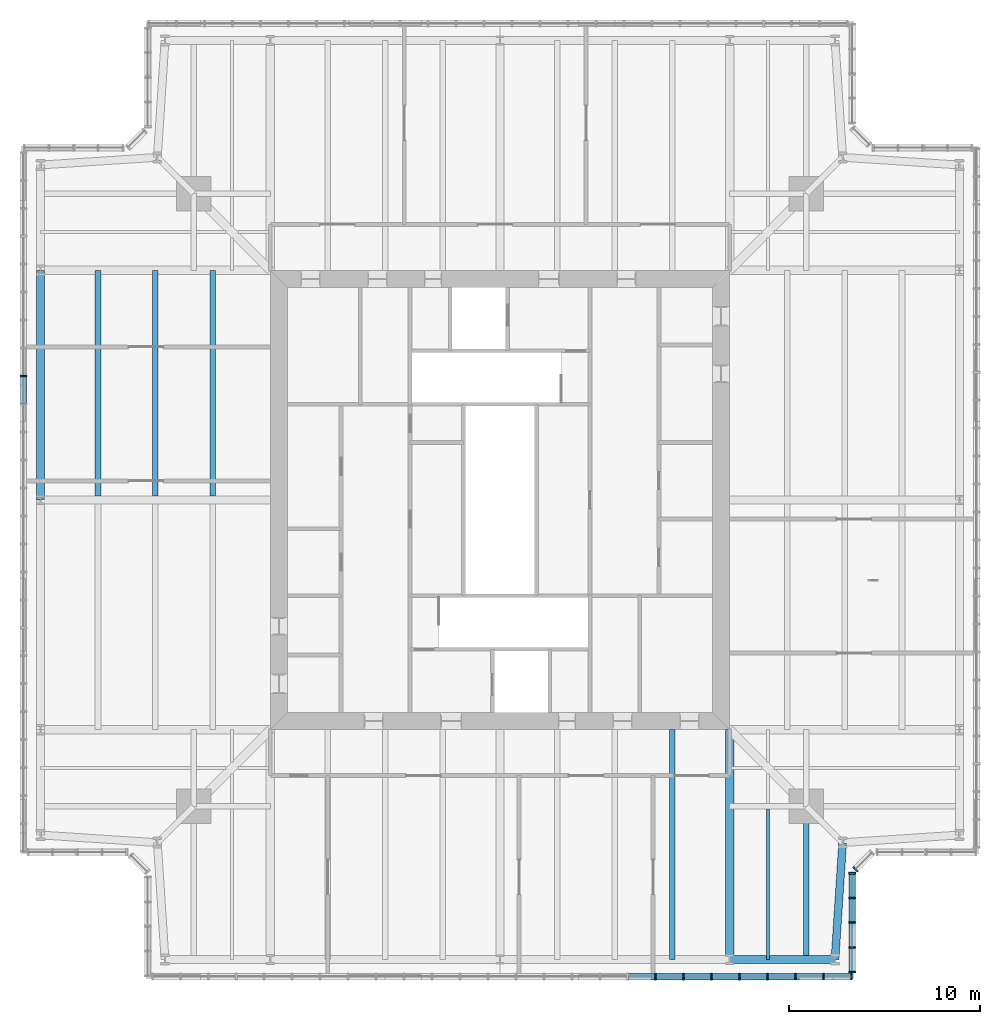
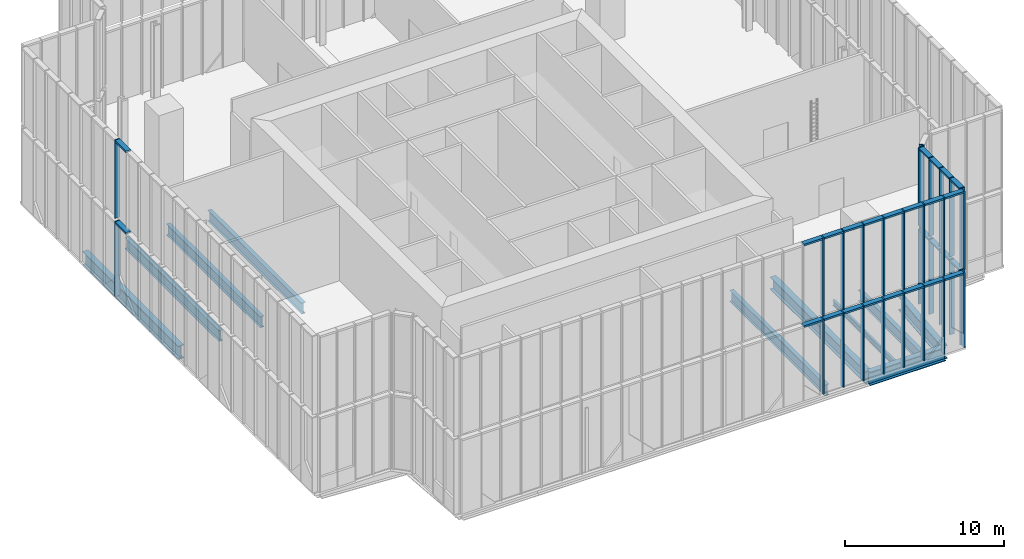
# One storey, part 5 of 25: 56 members, 10 beams, 8 elements without a shape of their own.
"""IFC4 building model written with IfcOpenShell, lengths in metres."""

import ifcopenshell
import ifcopenshell.guid

model = None  # the IFC model being written
_history = None  # IfcOwnerHistory: only IFC2X3 demands one
_inside = {}  # id of a spatial element -> (the spatial element, [elements in it])
_under = {}  # id of a project, library or spatial element -> (it, [spatial elements below it])
_declared = {}  # id of a project -> (the project, [libraries it declares])
_typed = {}  # id of a type object -> (the type object, [elements of that type])
_made_of = {}  # id of a material, layer set ... -> (it, [elements and type objects made of it])


def new_model(schema):
    """Start an empty IFC model of exactly this schema.

    Asked for "IFC4X3", IfcOpenShell would pick the latest addendum, in which some entities
    have other attributes; the version numbers below select the first issue.
    IFC2X3 requires an IfcOwnerHistory on every rooted entity: one is made here for all.
    """
    global model, _history
    if schema == "IFC4X3":
        model = ifcopenshell.file(schema_version=(4, 3, 0, 0))
    else:
        model = ifcopenshell.file(schema=schema)
    _inside.clear()
    _under.clear()
    _declared.clear()
    _typed.clear()
    _made_of.clear()
    _history = None
    if model.schema == "IFC2X3":
        org = make("IfcOrganization", Name="unknown")
        user = make(
            "IfcPersonAndOrganization",
            ThePerson=make("IfcPerson", FamilyName="unknown"),
            TheOrganization=org,
        )
        app = make(
            "IfcApplication",
            ApplicationDeveloper=org,
            Version="unknown",
            ApplicationFullName="unknown",
            ApplicationIdentifier="unknown",
        )
        _history = make(
            "IfcOwnerHistory",
            OwningUser=user,
            OwningApplication=app,
            ChangeAction="ADDED",
            CreationDate=0,
        )
    return model


def make(cls, **values):
    """One entity of the class cls with the attributes given. An attribute that is None is left unset."""
    return model.create_entity(
        cls, **{name: value for name, value in values.items() if value is not None}
    )


def rooted(cls, **values):
    """An entity with a GlobalId (a new one), such as an element, a storey or a relation."""
    return make(cls, GlobalId=ifcopenshell.guid.new(), OwnerHistory=_history, **values)


def si_unit(unit_type, name, prefix=None):
    """IfcSIUnit, for example si_unit("LENGTHUNIT", "METRE", prefix="MILLI")."""
    return make("IfcSIUnit", UnitType=unit_type, Prefix=prefix, Name=name)


def assignment(units):
    """IfcUnitAssignment: the units of a project."""
    return None if units is None else make("IfcUnitAssignment", Units=units)


def point(xyz):
    """IfcCartesianPoint."""
    return None if xyz is None else make("IfcCartesianPoint", Coordinates=xyz)


def direction(xyz):
    """IfcDirection."""
    return None if xyz is None else make("IfcDirection", DirectionRatios=xyz)


def frame(location, z_axis=None, x_axis=None):
    """IfcAxis2Placement3D, a coordinate frame: its origin and axes. An axis left out is left unset."""
    return make(
        "IfcAxis2Placement3D",
        Location=point(location),
        Axis=direction(z_axis),
        RefDirection=direction(x_axis),
    )


def frame_2d(location, x_axis=None):
    """IfcAxis2Placement2D, a coordinate frame in the plane: its origin and x axis."""
    return make(
        "IfcAxis2Placement2D", Location=point(location), RefDirection=direction(x_axis)
    )


def origin():
    """The frame at (0, 0, 0) with its axes left unset."""
    return frame((0.0, 0.0, 0.0))


def origin_2d():
    """The frame at (0, 0) in the plane with its x axis left unset."""
    return frame_2d((0.0, 0.0))


def place(relative_to, where):
    """IfcLocalPlacement: puts the frame where relative to a parent placement (None: the world)."""
    return make(
        "IfcLocalPlacement", PlacementRelTo=relative_to, RelativePlacement=where
    )


def context(
    kind, dimensions, precision=None, world=None, true_north=None, identifier=None
):
    """IfcGeometricRepresentationContext, for example the 3D "Model" context."""
    return make(
        "IfcGeometricRepresentationContext",
        ContextIdentifier=identifier,
        ContextType=kind,
        CoordinateSpaceDimension=dimensions,
        Precision=precision,
        WorldCoordinateSystem=world,
        TrueNorth=true_north,
    )


def subcontext(parent, identifier, kind, view, scale=None):
    """IfcGeometricRepresentationSubContext, for example "Body" below "Model"."""
    return make(
        "IfcGeometricRepresentationSubContext",
        ContextIdentifier=identifier,
        ContextType=kind,
        ParentContext=parent,
        TargetScale=scale,
        TargetView=view,
    )


def project(units=None, contexts=None):
    """IfcProject with its units and contexts."""
    return rooted(
        "IfcProject",
        Name="project",
        RepresentationContexts=contexts,
        UnitsInContext=assignment(units),
    )


def spatial(cls, under=None, at=None, **own):
    """A site, building, storey or space (cls), placed at a placement, below another one or the project."""
    s = rooted(cls, ObjectPlacement=at, **own)
    if under is not None:
        _under.setdefault(under.id(), (under, []))[1].append(s)
    return s


def profile(cls, at=None, kind="AREA", **sizes):
    """A parametric profile (cls). Its sizes go by their IFC names, for example OverallWidth=200.0."""
    return make(cls, ProfileType=kind, Position=at, **sizes)


def rectangle(**sizes):
    """IfcRectangleProfileDef."""
    return profile("IfcRectangleProfileDef", **sizes)


def i_section(**sizes):
    """IfcIShapeProfileDef."""
    return profile("IfcIShapeProfileDef", **sizes)


def extrude(swept, where, along, depth):
    """IfcExtrudedAreaSolid: the profile swept, set in the frame where, extruded along a direction by depth."""
    return make(
        "IfcExtrudedAreaSolid",
        SweptArea=swept,
        Position=where,
        ExtrudedDirection=direction(along),
        Depth=depth,
    )


def shape(context_of_items, identifier, shape_type, items):
    """IfcShapeRepresentation: the items that make up one representation, for example the "Body"."""
    return make(
        "IfcShapeRepresentation",
        ContextOfItems=context_of_items,
        RepresentationIdentifier=identifier,
        RepresentationType=shape_type,
        Items=items,
    )


def material(Name=None, Category=None):
    """IfcMaterial."""
    return make("IfcMaterial", Name=Name, Category=Category)


def material_profile(
    of_material, cross_section, Name=None, Category=None, Priority=None
):
    """IfcMaterialProfile: a cross section and its material."""
    return make(
        "IfcMaterialProfile",
        Name=Name,
        Material=of_material,
        Profile=cross_section,
        Priority=Priority,
        Category=Category,
    )


def profile_set(profiles, Name=None, composite=None):
    """IfcMaterialProfileSet."""
    return make(
        "IfcMaterialProfileSet",
        Name=Name,
        MaterialProfiles=profiles,
        CompositeProfile=composite,
    )


def made_of(thing, what):
    """Note that an element or type object is made of a material, layer set ...; save() writes the relation."""
    if what is not None:
        _made_of.setdefault(what.id(), (what, []))[1].append(thing)
    return thing


def type_object(cls, material=None, **own):
    """A type object (cls), such as IfcWallType, which elements share."""
    return made_of(rooted(cls, **own), material)


def element(
    cls,
    number,
    at=None,
    inside=None,
    cuts=None,
    type_object=None,
    material=None,
    context=None,
    identifier="Body",
    shape_type=None,
    held_by="IfcProductDefinitionShape",
    body=None,
    shapes=None,
    **own,
):
    """One element of the class cls, such as IfcWall. Its Tag is "e" and its number.

    at: its placement. inside: the storey or other place that contains it. cuts: it is an
    opening in that element (IfcRelVoidsElement). A single representation is given by context,
    identifier, shape_type and body (its items); several are given by shapes. held_by: the class
    of the entity that holds the representations. save() writes the other relations.
    """
    e = rooted(cls, Tag="e%d" % number, ObjectPlacement=at, **own)
    if body is not None:
        shapes = [shape(context, identifier, shape_type, body)]
    if shapes is not None:
        e.Representation = make(held_by, Representations=shapes)
    if inside is not None:
        _inside.setdefault(inside.id(), (inside, []))[1].append(e)
    if cuts is not None:
        rooted(
            "IfcRelVoidsElement", RelatingBuildingElement=cuts, RelatedOpeningElement=e
        )
    if type_object is not None:
        _typed.setdefault(type_object.id(), (type_object, []))[1].append(e)
    return made_of(e, material)


def aggregate(whole, parts):
    """IfcRelAggregates: a whole, such as a stair, and the parts it consists of."""
    return rooted("IfcRelAggregates", RelatingObject=whole, RelatedObjects=parts)


def save(model, path):
    """Write the relations noted so far, then the file.

    IfcRelAggregates (storeys below a building ...), IfcRelContainedInSpatialStructure (elements
    in a storey), IfcRelDefinesByType, IfcRelAssociatesMaterial and IfcRelDeclares: one each for
    every whole, place, type object, material and project.
    """
    for whole, parts in _under.values():
        aggregate(whole, parts)
    for where, things in _inside.values():
        rooted(
            "IfcRelContainedInSpatialStructure",
            RelatedElements=things,
            RelatingStructure=where,
        )
    for kind, things in _typed.values():
        rooted("IfcRelDefinesByType", RelatedObjects=things, RelatingType=kind)
    for what, things in _made_of.values():
        rooted("IfcRelAssociatesMaterial", RelatedObjects=things, RelatingMaterial=what)
    for by, libraries in _declared.values():
        rooted("IfcRelDeclares", RelatingContext=by, RelatedDefinitions=libraries)
    model.write(path)


model = new_model("IFC4")

# Units and contexts
model_context = context("Model", 3, precision=1e-05, world=origin(), true_north=direction((0.0, 1.0)))
body_context = subcontext(model_context, "Body", "Model", "MODEL_VIEW")
ifc_project = project(units=[si_unit("LENGTHUNIT", "METRE"), si_unit("AREAUNIT", "SQUARE_METRE"), si_unit("VOLUMEUNIT", "CUBIC_METRE"), si_unit("PLANEANGLEUNIT", "RADIAN"), si_unit("MASSUNIT", "GRAM", prefix="KILO")], contexts=[model_context])

# Site, building, storey
site_placement = place(None, origin())
site = spatial("IfcSite", under=ifc_project, at=site_placement, CompositionType="ELEMENT")
building_placement = place(site_placement, origin())
building = spatial("IfcBuilding", under=site, at=building_placement, Name="Fenwick Lantern Interchange", CompositionType="ELEMENT")
storey_placement = place(building_placement, frame((0.0, 0.0, 307.800048828125)))
storey = spatial("IfcBuildingStorey", under=building, at=storey_placement, Name="L74", CompositionType="ELEMENT", Elevation=307.800048828125)

# Beams
ifc_material_1 = material(Name="Steel ASTM A992 Grade 50", Category="steel")
ifc_material_profile_1 = material_profile(ifc_material_1, i_section(OverallWidth=0.408935546875, OverallDepth=1.04150390625, WebThickness=0.031005859375, FlangeThickness=0.055908203125, at=origin_2d()), Name="W40X397")
ifc_profile_set_1 = profile_set([ifc_material_profile_1], Name="Steel ASTM A992 Grade 50")
beam_type_1 = type_object("IfcBeamType", Name="EDGE BEAM W40X397", PredefinedType="SPANDREL", material=ifc_profile_set_1)
beam_1_placement = place(storey_placement, frame((37.0, 1.0, -0.720703125), z_axis=(1.0, 0.0, 0.0), x_axis=(0.0, 1.0, 0.0)))
element("IfcBeam", 1, at=beam_1_placement, inside=storey, type_object=beam_type_1, Name="L74/FR/S/EB4", PredefinedType="SPANDREL", context=body_context, shape_type="SweptSolid", body=[
    extrude(i_section(OverallWidth=0.408935546875, OverallDepth=1.04150390625, WebThickness=0.031005859375, FlangeThickness=0.055908203125, at=origin_2d()), origin(), (0.0, 0.0, 1.0), 5.5),
])
beam_2_placement = place(storey_placement, frame((42.5, 1.0, -0.720703125), z_axis=(0.065416293237, 0.997858060337, 0.0), x_axis=(-0.997858060337, 0.065416293237, 0.0)))
element("IfcBeam", 2, at=beam_2_placement, inside=storey, type_object=beam_type_1, Name="L74/FR/S/EBR1", PredefinedType="SPANDREL", context=body_context, shape_type="SweptSolid", body=[
    extrude(i_section(OverallWidth=0.408935546875, OverallDepth=1.04150390625, WebThickness=0.031005859375, FlangeThickness=0.055908203125, at=origin_2d()), origin(), (0.0, 0.0, 1.0), 6.11328125),
])
beam_3_placement = place(storey_placement, frame((1.0, 37.0, -0.720703125), z_axis=(0.0, -1.0, 0.0), x_axis=(1.0, 0.0, 0.0)))
element("IfcBeam", 3, at=beam_3_placement, inside=storey, type_object=beam_type_1, Name="L74/FR/W/EB2", PredefinedType="SPANDREL", context=body_context, shape_type="SweptSolid", body=[
    extrude(i_section(OverallWidth=0.408935546875, OverallDepth=1.04150390625, WebThickness=0.031005859375, FlangeThickness=0.055908203125, at=origin_2d()), origin(), (0.0, 0.0, 1.0), 12.0),
])
ifc_material_profile_2 = material_profile(ifc_material_1, i_section(OverallWidth=0.2919921875, OverallDepth=0.845703125, WebThickness=0.015380859375, FlangeThickness=0.0244140625, at=origin_2d()), Name="W33X141")
ifc_profile_set_2 = profile_set([ifc_material_profile_2], Name="Steel ASTM A992 Grade 50")
beam_type_2 = type_object("IfcBeamType", Name="FLOOR BEAM W33X141", PredefinedType="BEAM", material=ifc_profile_set_2)
beam_4_placement = place(storey_placement, frame((34.0, 1.0, -0.623046875), z_axis=(0.0, 1.0, 0.0), x_axis=(-1.0, 0.0, 0.0)))
element("IfcBeam", 4, at=beam_4_placement, inside=storey, type_object=beam_type_2, Name="L74/FR/S/R08", PredefinedType="BEAM", context=body_context, shape_type="SweptSolid", body=[
    extrude(i_section(OverallWidth=0.2919921875, OverallDepth=0.845703125, WebThickness=0.015380859375, FlangeThickness=0.0244140625, at=origin_2d()), origin(), (0.0, 0.0, 1.0), 12.0),
])
for number, where, z_axis, x_axis, name in (
    (5, (4.0, 37.0, -0.623046875), (0.0, -1.0, 0.0), (1.0, 0.0, 0.0), "L74/FR/W/B01"),
    (6, (7.0, 37.0, -0.623046875), (0.0, -1.0, 0.0), (1.0, 0.0, 0.0), "L74/FR/W/B02"),
    (7, (10.0, 37.0, -0.623046875), (0.0, -1.0, 0.0), (1.0, 0.0, 0.0), "L74/FR/W/B03"),
):
    element("IfcBeam", number, at=place(storey_placement, frame(where, z_axis=z_axis, x_axis=x_axis)), inside=storey, type_object=beam_type_2, Name=name, PredefinedType="BEAM", context=body_context, shape_type="SweptSolid", body=[
        extrude(i_section(OverallWidth=0.2919921875, OverallDepth=0.845703125, WebThickness=0.015380859375, FlangeThickness=0.0244140625, at=origin_2d()), origin(), (0.0, 0.0, 1.0), 11.79541015625),
    ])
ifc_material_profile_3 = material_profile(ifc_material_1, i_section(OverallWidth=0.177734375, OverallDepth=0.406494140625, WebThickness=0.0078125, FlangeThickness=0.012939453125, at=origin_2d()), Name="W16X40")
ifc_profile_set_3 = profile_set([ifc_material_profile_3], Name="Steel ASTM A992 Grade 50")
beam_type_3 = type_object("IfcBeamType", Name="INFILL BEAM W16X40", PredefinedType="JOIST", material=ifc_profile_set_3)
beam_5_placement = place(storey_placement, frame((39.0, 1.0, -0.4033203125), z_axis=(0.0, 1.0, 0.0), x_axis=(-1.0, 0.0, 0.0)))
element("IfcBeam", 8, at=beam_5_placement, inside=storey, type_object=beam_type_3, Name="L74/FR/E/J3", PredefinedType="JOIST", context=body_context, shape_type="SweptSolid", body=[
    extrude(i_section(OverallWidth=0.177734375, OverallDepth=0.406494140625, WebThickness=0.0078125, FlangeThickness=0.012939453125, at=origin_2d()), origin(), (0.0, 0.0, 1.0), 7.85400390625),
])

# Curtain wall, members
ifc_material_2 = material(Name="Aluminium curtain wall frame", Category="aluminium")
curtain_wall_type = type_object("IfcCurtainWallType", Name="LANTERN GLAZING", PredefinedType="USERDEFINED", material=ifc_material_2)
curtain_wall_1_placement = place(storey_placement, origin())
curtain_wall_1 = element("IfcCurtainWall", 9, at=curtain_wall_1_placement, inside=storey, type_object=curtain_wall_type, Name="Lantern glazing 01", ObjectType="LANTERN GLAZING", PredefinedType="USERDEFINED")
ifc_material_3 = material(Name="Aluminium extrusion", Category="aluminium")
ifc_material_profile_4 = material_profile(ifc_material_3, rectangle(XDim=0.35009765625, YDim=0.080078125, at=origin_2d()), Name="LANTERN GLAZING MULLION 80 X 350")
ifc_profile_set_4 = profile_set([ifc_material_profile_4], Name="Aluminium extrusion")
member_type_1 = type_object("IfcMemberType", Name="LANTERN GLAZING MULLION 80 X 350", PredefinedType="MULLION", material=ifc_profile_set_4)
member_1_placement = place(storey_placement, frame((33.134521484375, 0.10009765625, 0.0), z_axis=(0.0, 0.0, 1.0), x_axis=(0.0, 1.0, 0.0)))
member_1 = element("IfcMember", 10, at=member_1_placement, type_object=member_type_1, Name="L74/CW/01/M18", PredefinedType="MULLION", context=body_context, shape_type="SweptSolid", body=[
    extrude(rectangle(XDim=0.35009765625, YDim=0.080078125, at=origin_2d()), origin(), (0.0, 0.0, 1.0), 5.75),
])
member_2_placement = place(storey_placement, frame((34.59521484375, 0.10009765625, 0.0), z_axis=(0.0, 0.0, 1.0), x_axis=(0.0, 1.0, 0.0)))
member_2 = element("IfcMember", 11, at=member_2_placement, type_object=member_type_1, Name="L74/CW/01/M19", PredefinedType="MULLION", context=body_context, shape_type="SweptSolid", body=[
    extrude(rectangle(XDim=0.35009765625, YDim=0.080078125, at=origin_2d()), origin(), (0.0, 0.0, 1.0), 5.75),
])
member_3_placement = place(storey_placement, frame((36.055908203125, 0.10009765625, 0.0), z_axis=(0.0, 0.0, 1.0), x_axis=(0.0, 1.0, 0.0)))
member_3 = element("IfcMember", 12, at=member_3_placement, type_object=member_type_1, Name="L74/CW/01/M20", PredefinedType="MULLION", context=body_context, shape_type="SweptSolid", body=[
    extrude(rectangle(XDim=0.35009765625, YDim=0.080078125, at=origin_2d()), origin(), (0.0, 0.0, 1.0), 5.75),
])
member_4_placement = place(storey_placement, frame((37.516845703125, 0.10009765625, 0.0), z_axis=(0.0, 0.0, 1.0), x_axis=(0.0, 1.0, 0.0)))
member_4 = element("IfcMember", 13, at=member_4_placement, type_object=member_type_1, Name="L74/CW/01/M21", PredefinedType="MULLION", context=body_context, shape_type="SweptSolid", body=[
    extrude(rectangle(XDim=0.35009765625, YDim=0.080078125, at=origin_2d()), origin(), (0.0, 0.0, 1.0), 5.75),
])
member_5_placement = place(storey_placement, frame((38.9775390625, 0.10009765625, 0.0), z_axis=(0.0, 0.0, 1.0), x_axis=(0.0, 1.0, 0.0)))
member_5 = element("IfcMember", 14, at=member_5_placement, type_object=member_type_1, Name="L74/CW/01/M22", PredefinedType="MULLION", context=body_context, shape_type="SweptSolid", body=[
    extrude(rectangle(XDim=0.35009765625, YDim=0.080078125, at=origin_2d()), origin(), (0.0, 0.0, 1.0), 5.75),
])
member_6_placement = place(storey_placement, frame((40.4384765625, 0.10009765625, 0.0), z_axis=(0.0, 0.0, 1.0), x_axis=(0.0, 1.0, 0.0)))
member_6 = element("IfcMember", 15, at=member_6_placement, type_object=member_type_1, Name="L74/CW/01/M23", PredefinedType="MULLION", context=body_context, shape_type="SweptSolid", body=[
    extrude(rectangle(XDim=0.35009765625, YDim=0.080078125, at=origin_2d()), origin(), (0.0, 0.0, 1.0), 5.75),
])
member_7_placement = place(storey_placement, frame((41.899169921875, 0.10009765625, 0.0), z_axis=(0.0, 0.0, 1.0), x_axis=(0.0, 1.0, 0.0)))
member_7 = element("IfcMember", 16, at=member_7_placement, type_object=member_type_1, Name="L74/CW/01/M24", PredefinedType="MULLION", context=body_context, shape_type="SweptSolid", body=[
    extrude(rectangle(XDim=0.35009765625, YDim=0.080078125, at=origin_2d()), origin(), (0.0, 0.0, 1.0), 5.75),
])
member_8_placement = place(storey_placement, frame((43.360107421875, 0.10009765625, 0.0), z_axis=(0.0, 0.0, 1.0), x_axis=(0.0, 1.0, 0.0)))
member_8 = element("IfcMember", 17, at=member_8_placement, type_object=member_type_1, Name="L74/CW/01/M25", PredefinedType="MULLION", context=body_context, shape_type="SweptSolid", body=[
    extrude(rectangle(XDim=0.35009765625, YDim=0.080078125, at=origin_2d()), origin(), (0.0, 0.0, 1.0), 5.75),
])

curtain_wall_2_placement = place(storey_placement, origin())
curtain_wall_2 = element("IfcCurtainWall", 18, at=curtain_wall_2_placement, inside=storey, type_object=curtain_wall_type, Name="Lantern glazing 02", ObjectType="LANTERN GLAZING", PredefinedType="USERDEFINED")
member_9_placement = place(storey_placement, frame((43.39990234375, 0.340087890625, 0.0), z_axis=(0.0, 0.0, 1.0), x_axis=(-1.0, 0.0, 0.0)))
member_9 = element("IfcMember", 19, at=member_9_placement, type_object=member_type_1, Name="L74/CW/02/M00", PredefinedType="MULLION", context=body_context, shape_type="SweptSolid", body=[
    extrude(rectangle(XDim=0.35009765625, YDim=0.080078125, at=origin_2d()), origin(), (0.0, 0.0, 1.0), 5.75),
])
member_10_placement = place(storey_placement, frame((43.39990234375, 1.63037109375, 0.0), z_axis=(0.0, 0.0, 1.0), x_axis=(-1.0, 0.0, 0.0)))
member_10 = element("IfcMember", 20, at=member_10_placement, type_object=member_type_1, Name="L74/CW/02/M01", PredefinedType="MULLION", context=body_context, shape_type="SweptSolid", body=[
    extrude(rectangle(XDim=0.35009765625, YDim=0.080078125, at=origin_2d()), origin(), (0.0, 0.0, 1.0), 5.75),
])
member_11_placement = place(storey_placement, frame((43.39990234375, 2.920654296875, 0.0), z_axis=(0.0, 0.0, 1.0), x_axis=(-1.0, 0.0, 0.0)))
member_11 = element("IfcMember", 21, at=member_11_placement, type_object=member_type_1, Name="L74/CW/02/M02", PredefinedType="MULLION", context=body_context, shape_type="SweptSolid", body=[
    extrude(rectangle(XDim=0.35009765625, YDim=0.080078125, at=origin_2d()), origin(), (0.0, 0.0, 1.0), 5.75),
])
member_12_placement = place(storey_placement, frame((43.39990234375, 4.211181640625, 0.0), z_axis=(0.0, 0.0, 1.0), x_axis=(-1.0, 0.0, 0.0)))
member_12 = element("IfcMember", 22, at=member_12_placement, type_object=member_type_1, Name="L74/CW/02/M03", PredefinedType="MULLION", context=body_context, shape_type="SweptSolid", body=[
    extrude(rectangle(XDim=0.35009765625, YDim=0.080078125, at=origin_2d()), origin(), (0.0, 0.0, 1.0), 5.75),
])
member_13_placement = place(storey_placement, frame((43.39990234375, 5.50146484375, 0.0), z_axis=(0.0, 0.0, 1.0), x_axis=(-1.0, 0.0, 0.0)))
member_13 = element("IfcMember", 23, at=member_13_placement, type_object=member_type_1, Name="L74/CW/02/M04", PredefinedType="MULLION", context=body_context, shape_type="SweptSolid", body=[
    extrude(rectangle(XDim=0.35009765625, YDim=0.080078125, at=origin_2d()), origin(), (0.0, 0.0, 1.0), 5.75),
])

# Curtain wall, member
curtain_wall_3_placement = place(storey_placement, origin())
curtain_wall_3 = element("IfcCurtainWall", 24, at=curtain_wall_3_placement, inside=storey, type_object=curtain_wall_type, Name="Lantern glazing 03", ObjectType="LANTERN GLAZING", PredefinedType="USERDEFINED")
member_14_placement = place(storey_placement, frame((43.56982421875, 5.711181640625, 0.0), z_axis=(0.0, 0.0, 1.0), x_axis=(-0.707106781187, 0.707106781187, 0.0)))
member_14 = element("IfcMember", 25, at=member_14_placement, type_object=member_type_1, Name="L74/CW/03/M00", PredefinedType="MULLION", context=body_context, shape_type="SweptSolid", body=[
    extrude(rectangle(XDim=0.35009765625, YDim=0.080078125, at=origin_2d()), origin(), (0.0, 0.0, 1.0), 5.75),
])
aggregate(curtain_wall_3, [member_14])

curtain_wall_4_placement = place(storey_placement, origin())
curtain_wall_4 = element("IfcCurtainWall", 26, at=curtain_wall_4_placement, inside=storey, type_object=curtain_wall_type, Name="Lantern glazing 13", ObjectType="LANTERN GLAZING", PredefinedType="USERDEFINED")
member_15_placement = place(storey_placement, frame((0.10009765625, 31.4736328125, 0.0), z_axis=(0.0, 0.0, 1.0), x_axis=(1.0, 0.0, 0.0)))
member_15 = element("IfcMember", 27, at=member_15_placement, type_object=member_type_1, Name="L74/CW/13/M08", PredefinedType="MULLION", context=body_context, shape_type="SweptSolid", body=[
    extrude(rectangle(XDim=0.35009765625, YDim=0.080078125, at=origin_2d()), origin(), (0.0, 0.0, 1.0), 5.75),
])

# Curtain wall, members
curtain_wall_5_placement = place(storey_placement, origin())
curtain_wall_5 = element("IfcCurtainWall", 28, at=curtain_wall_5_placement, inside=storey, type_object=curtain_wall_type, Name="Lantern glazing 01", ObjectType="LANTERN GLAZING", PredefinedType="USERDEFINED")
member_16_placement = place(storey_placement, frame((33.134521484375, 0.10009765625, 6.0), z_axis=(0.0, 0.0, 1.0), x_axis=(0.0, 1.0, 0.0)))
member_16 = element("IfcMember", 29, at=member_16_placement, type_object=member_type_1, Name="RF/LANTERN/01/M18", PredefinedType="MULLION", context=body_context, shape_type="SweptSolid", body=[
    extrude(rectangle(XDim=0.35009765625, YDim=0.080078125, at=origin_2d()), origin(), (0.0, 0.0, 1.0), 6.0),
])
member_17_placement = place(storey_placement, frame((34.59521484375, 0.10009765625, 6.0), z_axis=(0.0, 0.0, 1.0), x_axis=(0.0, 1.0, 0.0)))
member_17 = element("IfcMember", 30, at=member_17_placement, type_object=member_type_1, Name="RF/LANTERN/01/M19", PredefinedType="MULLION", context=body_context, shape_type="SweptSolid", body=[
    extrude(rectangle(XDim=0.35009765625, YDim=0.080078125, at=origin_2d()), origin(), (0.0, 0.0, 1.0), 6.0),
])
member_18_placement = place(storey_placement, frame((36.055908203125, 0.10009765625, 6.0), z_axis=(0.0, 0.0, 1.0), x_axis=(0.0, 1.0, 0.0)))
member_18 = element("IfcMember", 31, at=member_18_placement, type_object=member_type_1, Name="RF/LANTERN/01/M20", PredefinedType="MULLION", context=body_context, shape_type="SweptSolid", body=[
    extrude(rectangle(XDim=0.35009765625, YDim=0.080078125, at=origin_2d()), origin(), (0.0, 0.0, 1.0), 6.0),
])
member_19_placement = place(storey_placement, frame((37.516845703125, 0.10009765625, 6.0), z_axis=(0.0, 0.0, 1.0), x_axis=(0.0, 1.0, 0.0)))
member_19 = element("IfcMember", 32, at=member_19_placement, type_object=member_type_1, Name="RF/LANTERN/01/M21", PredefinedType="MULLION", context=body_context, shape_type="SweptSolid", body=[
    extrude(rectangle(XDim=0.35009765625, YDim=0.080078125, at=origin_2d()), origin(), (0.0, 0.0, 1.0), 6.0),
])
member_20_placement = place(storey_placement, frame((38.9775390625, 0.10009765625, 6.0), z_axis=(0.0, 0.0, 1.0), x_axis=(0.0, 1.0, 0.0)))
member_20 = element("IfcMember", 33, at=member_20_placement, type_object=member_type_1, Name="RF/LANTERN/01/M22", PredefinedType="MULLION", context=body_context, shape_type="SweptSolid", body=[
    extrude(rectangle(XDim=0.35009765625, YDim=0.080078125, at=origin_2d()), origin(), (0.0, 0.0, 1.0), 6.0),
])
member_21_placement = place(storey_placement, frame((40.4384765625, 0.10009765625, 6.0), z_axis=(0.0, 0.0, 1.0), x_axis=(0.0, 1.0, 0.0)))
member_21 = element("IfcMember", 34, at=member_21_placement, type_object=member_type_1, Name="RF/LANTERN/01/M23", PredefinedType="MULLION", context=body_context, shape_type="SweptSolid", body=[
    extrude(rectangle(XDim=0.35009765625, YDim=0.080078125, at=origin_2d()), origin(), (0.0, 0.0, 1.0), 6.0),
])
member_22_placement = place(storey_placement, frame((41.899169921875, 0.10009765625, 6.0), z_axis=(0.0, 0.0, 1.0), x_axis=(0.0, 1.0, 0.0)))
member_22 = element("IfcMember", 35, at=member_22_placement, type_object=member_type_1, Name="RF/LANTERN/01/M24", PredefinedType="MULLION", context=body_context, shape_type="SweptSolid", body=[
    extrude(rectangle(XDim=0.35009765625, YDim=0.080078125, at=origin_2d()), origin(), (0.0, 0.0, 1.0), 6.0),
])
member_23_placement = place(storey_placement, frame((43.360107421875, 0.10009765625, 6.0), z_axis=(0.0, 0.0, 1.0), x_axis=(0.0, 1.0, 0.0)))
member_23 = element("IfcMember", 36, at=member_23_placement, type_object=member_type_1, Name="RF/LANTERN/01/M25", PredefinedType="MULLION", context=body_context, shape_type="SweptSolid", body=[
    extrude(rectangle(XDim=0.35009765625, YDim=0.080078125, at=origin_2d()), origin(), (0.0, 0.0, 1.0), 6.0),
])

curtain_wall_6_placement = place(storey_placement, origin())
curtain_wall_6 = element("IfcCurtainWall", 37, at=curtain_wall_6_placement, inside=storey, type_object=curtain_wall_type, Name="Lantern glazing 02", ObjectType="LANTERN GLAZING", PredefinedType="USERDEFINED")
member_24_placement = place(storey_placement, frame((43.39990234375, 0.340087890625, 6.0), z_axis=(0.0, 0.0, 1.0), x_axis=(-1.0, 0.0, 0.0)))
member_24 = element("IfcMember", 38, at=member_24_placement, type_object=member_type_1, Name="RF/LANTERN/02/M00", PredefinedType="MULLION", context=body_context, shape_type="SweptSolid", body=[
    extrude(rectangle(XDim=0.35009765625, YDim=0.080078125, at=origin_2d()), origin(), (0.0, 0.0, 1.0), 6.0),
])
member_25_placement = place(storey_placement, frame((43.39990234375, 1.63037109375, 6.0), z_axis=(0.0, 0.0, 1.0), x_axis=(-1.0, 0.0, 0.0)))
member_25 = element("IfcMember", 39, at=member_25_placement, type_object=member_type_1, Name="RF/LANTERN/02/M01", PredefinedType="MULLION", context=body_context, shape_type="SweptSolid", body=[
    extrude(rectangle(XDim=0.35009765625, YDim=0.080078125, at=origin_2d()), origin(), (0.0, 0.0, 1.0), 6.0),
])
member_26_placement = place(storey_placement, frame((43.39990234375, 2.920654296875, 6.0), z_axis=(0.0, 0.0, 1.0), x_axis=(-1.0, 0.0, 0.0)))
member_26 = element("IfcMember", 40, at=member_26_placement, type_object=member_type_1, Name="RF/LANTERN/02/M02", PredefinedType="MULLION", context=body_context, shape_type="SweptSolid", body=[
    extrude(rectangle(XDim=0.35009765625, YDim=0.080078125, at=origin_2d()), origin(), (0.0, 0.0, 1.0), 6.0),
])
member_27_placement = place(storey_placement, frame((43.39990234375, 4.211181640625, 6.0), z_axis=(0.0, 0.0, 1.0), x_axis=(-1.0, 0.0, 0.0)))
member_27 = element("IfcMember", 41, at=member_27_placement, type_object=member_type_1, Name="RF/LANTERN/02/M03", PredefinedType="MULLION", context=body_context, shape_type="SweptSolid", body=[
    extrude(rectangle(XDim=0.35009765625, YDim=0.080078125, at=origin_2d()), origin(), (0.0, 0.0, 1.0), 6.0),
])
member_28_placement = place(storey_placement, frame((43.39990234375, 5.50146484375, 6.0), z_axis=(0.0, 0.0, 1.0), x_axis=(-1.0, 0.0, 0.0)))
member_28 = element("IfcMember", 42, at=member_28_placement, type_object=member_type_1, Name="RF/LANTERN/02/M04", PredefinedType="MULLION", context=body_context, shape_type="SweptSolid", body=[
    extrude(rectangle(XDim=0.35009765625, YDim=0.080078125, at=origin_2d()), origin(), (0.0, 0.0, 1.0), 6.0),
])

# Curtain wall, member
curtain_wall_7_placement = place(storey_placement, origin())
curtain_wall_7 = element("IfcCurtainWall", 43, at=curtain_wall_7_placement, inside=storey, type_object=curtain_wall_type, Name="Lantern glazing 03", ObjectType="LANTERN GLAZING", PredefinedType="USERDEFINED")
member_29_placement = place(storey_placement, frame((43.56982421875, 5.711181640625, 6.0), z_axis=(0.0, 0.0, 1.0), x_axis=(-0.707106781187, 0.707106781187, 0.0)))
member_29 = element("IfcMember", 44, at=member_29_placement, type_object=member_type_1, Name="RF/LANTERN/03/M00", PredefinedType="MULLION", context=body_context, shape_type="SweptSolid", body=[
    extrude(rectangle(XDim=0.35009765625, YDim=0.080078125, at=origin_2d()), origin(), (0.0, 0.0, 1.0), 6.0),
])
aggregate(curtain_wall_7, [member_29])

curtain_wall_8_placement = place(storey_placement, origin())
curtain_wall_8 = element("IfcCurtainWall", 45, at=curtain_wall_8_placement, inside=storey, type_object=curtain_wall_type, Name="Lantern glazing 13", ObjectType="LANTERN GLAZING", PredefinedType="USERDEFINED")
member_30_placement = place(storey_placement, frame((0.10009765625, 31.4736328125, 6.0), z_axis=(0.0, 0.0, 1.0), x_axis=(1.0, 0.0, 0.0)))
member_30 = element("IfcMember", 46, at=member_30_placement, type_object=member_type_1, Name="RF/LANTERN/13/M08", PredefinedType="MULLION", context=body_context, shape_type="SweptSolid", body=[
    extrude(rectangle(XDim=0.35009765625, YDim=0.080078125, at=origin_2d()), origin(), (0.0, 0.0, 1.0), 6.0),
])

# Member
ifc_material_profile_5 = material_profile(ifc_material_3, rectangle(XDim=0.35009765625, YDim=0.139892578125, at=origin_2d()), Name="LANTERN GLAZING TRANSOM 140 X 350")
ifc_profile_set_5 = profile_set([ifc_material_profile_5], Name="Aluminium extrusion")
member_type_2 = type_object("IfcMemberType", Name="LANTERN GLAZING TRANSOM 140 X 350", PredefinedType="MULLION", material=ifc_profile_set_5)
member_31_placement = place(storey_placement, frame((31.713623046875, 0.10009765625, 5.679931640625), z_axis=(1.0, 0.0, 0.0), x_axis=(0.0, 1.0, 0.0)))
member_31 = element("IfcMember", 47, at=member_31_placement, type_object=member_type_2, Name="L74/CW/01/T17", PredefinedType="MULLION", context=body_context, shape_type="SweptSolid", body=[
    extrude(rectangle(XDim=0.35009765625, YDim=0.139892578125, at=origin_2d()), origin(), (0.0, 0.0, 1.0), 1.380859375),
])

member_32_placement = place(storey_placement, frame((33.17431640625, 0.10009765625, 5.679931640625), z_axis=(1.0, 0.0, 0.0), x_axis=(0.0, 1.0, 0.0)))
member_32 = element("IfcMember", 48, at=member_32_placement, type_object=member_type_2, Name="L74/CW/01/T18", PredefinedType="MULLION", context=body_context, shape_type="SweptSolid", body=[
    extrude(rectangle(XDim=0.35009765625, YDim=0.139892578125, at=origin_2d()), origin(), (0.0, 0.0, 1.0), 1.380859375),
])

member_33_placement = place(storey_placement, frame((34.63525390625, 0.10009765625, 5.679931640625), z_axis=(1.0, 0.0, 0.0), x_axis=(0.0, 1.0, 0.0)))
member_33 = element("IfcMember", 49, at=member_33_placement, type_object=member_type_2, Name="L74/CW/01/T19", PredefinedType="MULLION", context=body_context, shape_type="SweptSolid", body=[
    extrude(rectangle(XDim=0.35009765625, YDim=0.139892578125, at=origin_2d()), origin(), (0.0, 0.0, 1.0), 1.380859375),
])

member_34_placement = place(storey_placement, frame((36.095947265625, 0.10009765625, 5.679931640625), z_axis=(1.0, 0.0, 0.0), x_axis=(0.0, 1.0, 0.0)))
member_34 = element("IfcMember", 50, at=member_34_placement, type_object=member_type_2, Name="L74/CW/01/T20", PredefinedType="MULLION", context=body_context, shape_type="SweptSolid", body=[
    extrude(rectangle(XDim=0.35009765625, YDim=0.139892578125, at=origin_2d()), origin(), (0.0, 0.0, 1.0), 1.380859375),
])

member_35_placement = place(storey_placement, frame((37.556884765625, 0.10009765625, 5.679931640625), z_axis=(1.0, 0.0, 0.0), x_axis=(0.0, 1.0, 0.0)))
member_35 = element("IfcMember", 51, at=member_35_placement, type_object=member_type_2, Name="L74/CW/01/T21", PredefinedType="MULLION", context=body_context, shape_type="SweptSolid", body=[
    extrude(rectangle(XDim=0.35009765625, YDim=0.139892578125, at=origin_2d()), origin(), (0.0, 0.0, 1.0), 1.380615234375),
])

member_36_placement = place(storey_placement, frame((39.017578125, 0.10009765625, 5.679931640625), z_axis=(1.0, 0.0, 0.0), x_axis=(0.0, 1.0, 0.0)))
member_36 = element("IfcMember", 52, at=member_36_placement, type_object=member_type_2, Name="L74/CW/01/T22", PredefinedType="MULLION", context=body_context, shape_type="SweptSolid", body=[
    extrude(rectangle(XDim=0.35009765625, YDim=0.139892578125, at=origin_2d()), origin(), (0.0, 0.0, 1.0), 1.380859375),
])

member_37_placement = place(storey_placement, frame((40.478515625, 0.10009765625, 5.679931640625), z_axis=(1.0, 0.0, 0.0), x_axis=(0.0, 1.0, 0.0)))
member_37 = element("IfcMember", 53, at=member_37_placement, type_object=member_type_2, Name="L74/CW/01/T23", PredefinedType="MULLION", context=body_context, shape_type="SweptSolid", body=[
    extrude(rectangle(XDim=0.35009765625, YDim=0.139892578125, at=origin_2d()), origin(), (0.0, 0.0, 1.0), 1.380615234375),
])

member_38_placement = place(storey_placement, frame((41.939208984375, 0.10009765625, 5.679931640625), z_axis=(1.0, 0.0, 0.0), x_axis=(0.0, 1.0, 0.0)))
member_38 = element("IfcMember", 54, at=member_38_placement, type_object=member_type_2, Name="L74/CW/01/T24", PredefinedType="MULLION", context=body_context, shape_type="SweptSolid", body=[
    extrude(rectangle(XDim=0.35009765625, YDim=0.139892578125, at=origin_2d()), origin(), (0.0, 0.0, 1.0), 1.380859375),
])

aggregate(curtain_wall_1, [member_1, member_2, member_3, member_4, member_5, member_6, member_7, member_8, member_31, member_32, member_33, member_34, member_35, member_36, member_37, member_38])

member_39_placement = place(storey_placement, frame((43.39990234375, 0.3798828125, 5.679931640625), z_axis=(0.0, 1.0, 0.0), x_axis=(-1.0, 0.0, 0.0)))
member_39 = element("IfcMember", 55, at=member_39_placement, type_object=member_type_2, Name="L74/CW/02/T00", PredefinedType="MULLION", context=body_context, shape_type="SweptSolid", body=[
    extrude(rectangle(XDim=0.35009765625, YDim=0.139892578125, at=origin_2d()), origin(), (0.0, 0.0, 1.0), 1.21044921875),
])

member_40_placement = place(storey_placement, frame((43.39990234375, 1.67041015625, 5.679931640625), z_axis=(0.0, 1.0, 0.0), x_axis=(-1.0, 0.0, 0.0)))
member_40 = element("IfcMember", 56, at=member_40_placement, type_object=member_type_2, Name="L74/CW/02/T01", PredefinedType="MULLION", context=body_context, shape_type="SweptSolid", body=[
    extrude(rectangle(XDim=0.35009765625, YDim=0.139892578125, at=origin_2d()), origin(), (0.0, 0.0, 1.0), 1.210205078125),
])

member_41_placement = place(storey_placement, frame((43.39990234375, 2.960693359375, 5.679931640625), z_axis=(0.0, 1.0, 0.0), x_axis=(-1.0, 0.0, 0.0)))
member_41 = element("IfcMember", 57, at=member_41_placement, type_object=member_type_2, Name="L74/CW/02/T02", PredefinedType="MULLION", context=body_context, shape_type="SweptSolid", body=[
    extrude(rectangle(XDim=0.35009765625, YDim=0.139892578125, at=origin_2d()), origin(), (0.0, 0.0, 1.0), 1.21044921875),
])

member_42_placement = place(storey_placement, frame((43.39990234375, 4.2509765625, 5.679931640625), z_axis=(0.0, 1.0, 0.0), x_axis=(-1.0, 0.0, 0.0)))
member_42 = element("IfcMember", 58, at=member_42_placement, type_object=member_type_2, Name="L74/CW/02/T03", PredefinedType="MULLION", context=body_context, shape_type="SweptSolid", body=[
    extrude(rectangle(XDim=0.35009765625, YDim=0.139892578125, at=origin_2d()), origin(), (0.0, 0.0, 1.0), 1.21044921875),
])

aggregate(curtain_wall_2, [member_9, member_10, member_11, member_12, member_13, member_39, member_40, member_41, member_42])

member_43_placement = place(storey_placement, frame((0.10009765625, 31.43359375, 5.679931640625), z_axis=(0.0, -1.0, 0.0), x_axis=(1.0, 0.0, 0.0)))
member_43 = element("IfcMember", 59, at=member_43_placement, type_object=member_type_2, Name="L74/CW/13/T08", PredefinedType="MULLION", context=body_context, shape_type="SweptSolid", body=[
    extrude(rectangle(XDim=0.35009765625, YDim=0.139892578125, at=origin_2d()), origin(), (0.0, 0.0, 1.0), 1.380859375),
])

aggregate(curtain_wall_4, [member_15, member_43])

member_44_placement = place(storey_placement, frame((31.713623046875, 0.10009765625, 11.929931640625), z_axis=(1.0, 0.0, 0.0), x_axis=(0.0, 1.0, 0.0)))
member_44 = element("IfcMember", 60, at=member_44_placement, type_object=member_type_2, Name="RF/LANTERN/01/T17", PredefinedType="MULLION", context=body_context, shape_type="SweptSolid", body=[
    extrude(rectangle(XDim=0.35009765625, YDim=0.139892578125, at=origin_2d()), origin(), (0.0, 0.0, 1.0), 1.380859375),
])

member_45_placement = place(storey_placement, frame((33.17431640625, 0.10009765625, 11.929931640625), z_axis=(1.0, 0.0, 0.0), x_axis=(0.0, 1.0, 0.0)))
member_45 = element("IfcMember", 61, at=member_45_placement, type_object=member_type_2, Name="RF/LANTERN/01/T18", PredefinedType="MULLION", context=body_context, shape_type="SweptSolid", body=[
    extrude(rectangle(XDim=0.35009765625, YDim=0.139892578125, at=origin_2d()), origin(), (0.0, 0.0, 1.0), 1.380859375),
])

member_46_placement = place(storey_placement, frame((34.63525390625, 0.10009765625, 11.929931640625), z_axis=(1.0, 0.0, 0.0), x_axis=(0.0, 1.0, 0.0)))
member_46 = element("IfcMember", 62, at=member_46_placement, type_object=member_type_2, Name="RF/LANTERN/01/T19", PredefinedType="MULLION", context=body_context, shape_type="SweptSolid", body=[
    extrude(rectangle(XDim=0.35009765625, YDim=0.139892578125, at=origin_2d()), origin(), (0.0, 0.0, 1.0), 1.380859375),
])

member_47_placement = place(storey_placement, frame((36.095947265625, 0.10009765625, 11.929931640625), z_axis=(1.0, 0.0, 0.0), x_axis=(0.0, 1.0, 0.0)))
member_47 = element("IfcMember", 63, at=member_47_placement, type_object=member_type_2, Name="RF/LANTERN/01/T20", PredefinedType="MULLION", context=body_context, shape_type="SweptSolid", body=[
    extrude(rectangle(XDim=0.35009765625, YDim=0.139892578125, at=origin_2d()), origin(), (0.0, 0.0, 1.0), 1.380859375),
])

member_48_placement = place(storey_placement, frame((37.556884765625, 0.10009765625, 11.929931640625), z_axis=(1.0, 0.0, 0.0), x_axis=(0.0, 1.0, 0.0)))
member_48 = element("IfcMember", 64, at=member_48_placement, type_object=member_type_2, Name="RF/LANTERN/01/T21", PredefinedType="MULLION", context=body_context, shape_type="SweptSolid", body=[
    extrude(rectangle(XDim=0.35009765625, YDim=0.139892578125, at=origin_2d()), origin(), (0.0, 0.0, 1.0), 1.380615234375),
])

member_49_placement = place(storey_placement, frame((39.017578125, 0.10009765625, 11.929931640625), z_axis=(1.0, 0.0, 0.0), x_axis=(0.0, 1.0, 0.0)))
member_49 = element("IfcMember", 65, at=member_49_placement, type_object=member_type_2, Name="RF/LANTERN/01/T22", PredefinedType="MULLION", context=body_context, shape_type="SweptSolid", body=[
    extrude(rectangle(XDim=0.35009765625, YDim=0.139892578125, at=origin_2d()), origin(), (0.0, 0.0, 1.0), 1.380859375),
])

member_50_placement = place(storey_placement, frame((40.478515625, 0.10009765625, 11.929931640625), z_axis=(1.0, 0.0, 0.0), x_axis=(0.0, 1.0, 0.0)))
member_50 = element("IfcMember", 66, at=member_50_placement, type_object=member_type_2, Name="RF/LANTERN/01/T23", PredefinedType="MULLION", context=body_context, shape_type="SweptSolid", body=[
    extrude(rectangle(XDim=0.35009765625, YDim=0.139892578125, at=origin_2d()), origin(), (0.0, 0.0, 1.0), 1.380615234375),
])

member_51_placement = place(storey_placement, frame((41.939208984375, 0.10009765625, 11.929931640625), z_axis=(1.0, 0.0, 0.0), x_axis=(0.0, 1.0, 0.0)))
member_51 = element("IfcMember", 67, at=member_51_placement, type_object=member_type_2, Name="RF/LANTERN/01/T24", PredefinedType="MULLION", context=body_context, shape_type="SweptSolid", body=[
    extrude(rectangle(XDim=0.35009765625, YDim=0.139892578125, at=origin_2d()), origin(), (0.0, 0.0, 1.0), 1.380859375),
])

aggregate(curtain_wall_5, [member_16, member_17, member_18, member_19, member_20, member_21, member_22, member_23, member_44, member_45, member_46, member_47, member_48, member_49, member_50, member_51])

member_52_placement = place(storey_placement, frame((43.39990234375, 0.3798828125, 11.929931640625), z_axis=(0.0, 1.0, 0.0), x_axis=(-1.0, 0.0, 0.0)))
member_52 = element("IfcMember", 68, at=member_52_placement, type_object=member_type_2, Name="RF/LANTERN/02/T00", PredefinedType="MULLION", context=body_context, shape_type="SweptSolid", body=[
    extrude(rectangle(XDim=0.35009765625, YDim=0.139892578125, at=origin_2d()), origin(), (0.0, 0.0, 1.0), 1.21044921875),
])

member_53_placement = place(storey_placement, frame((43.39990234375, 1.67041015625, 11.929931640625), z_axis=(0.0, 1.0, 0.0), x_axis=(-1.0, 0.0, 0.0)))
member_53 = element("IfcMember", 69, at=member_53_placement, type_object=member_type_2, Name="RF/LANTERN/02/T01", PredefinedType="MULLION", context=body_context, shape_type="SweptSolid", body=[
    extrude(rectangle(XDim=0.35009765625, YDim=0.139892578125, at=origin_2d()), origin(), (0.0, 0.0, 1.0), 1.210205078125),
])

member_54_placement = place(storey_placement, frame((43.39990234375, 2.960693359375, 11.929931640625), z_axis=(0.0, 1.0, 0.0), x_axis=(-1.0, 0.0, 0.0)))
member_54 = element("IfcMember", 70, at=member_54_placement, type_object=member_type_2, Name="RF/LANTERN/02/T02", PredefinedType="MULLION", context=body_context, shape_type="SweptSolid", body=[
    extrude(rectangle(XDim=0.35009765625, YDim=0.139892578125, at=origin_2d()), origin(), (0.0, 0.0, 1.0), 1.21044921875),
])

member_55_placement = place(storey_placement, frame((43.39990234375, 4.2509765625, 11.929931640625), z_axis=(0.0, 1.0, 0.0), x_axis=(-1.0, 0.0, 0.0)))
member_55 = element("IfcMember", 71, at=member_55_placement, type_object=member_type_2, Name="RF/LANTERN/02/T03", PredefinedType="MULLION", context=body_context, shape_type="SweptSolid", body=[
    extrude(rectangle(XDim=0.35009765625, YDim=0.139892578125, at=origin_2d()), origin(), (0.0, 0.0, 1.0), 1.21044921875),
])

aggregate(curtain_wall_6, [member_24, member_25, member_26, member_27, member_28, member_52, member_53, member_54, member_55])

member_56_placement = place(storey_placement, frame((0.10009765625, 31.43359375, 11.929931640625), z_axis=(0.0, -1.0, 0.0), x_axis=(1.0, 0.0, 0.0)))
member_56 = element("IfcMember", 72, at=member_56_placement, type_object=member_type_2, Name="RF/LANTERN/13/T08", PredefinedType="MULLION", context=body_context, shape_type="SweptSolid", body=[
    extrude(rectangle(XDim=0.35009765625, YDim=0.139892578125, at=origin_2d()), origin(), (0.0, 0.0, 1.0), 1.380859375),
])

aggregate(curtain_wall_8, [member_30, member_56])

# Beams
ifc_material_profile_6 = material_profile(ifc_material_1, i_section(OverallWidth=0.2919921875, OverallDepth=0.845703125, WebThickness=0.015380859375, FlangeThickness=0.0244140625, at=origin_2d()), Name="W33X141")
ifc_profile_set_6 = profile_set([ifc_material_profile_6], Name="Steel ASTM A992 Grade 50")
beam_type_4 = type_object("IfcBeamType", Name="MEGA COLUMN BEAM W33X141", PredefinedType="BEAM", material=ifc_profile_set_6)
beam_6_placement = place(storey_placement, frame((41.0, 9.0, -0.623046875), z_axis=(0.0, -1.0, 0.0), x_axis=(1.0, 0.0, 0.0)))
element("IfcBeam", 73, at=beam_6_placement, inside=storey, type_object=beam_type_4, Name="L74/FR/E/MB2", PredefinedType="BEAM", context=body_context, shape_type="SweptSolid", body=[
    extrude(i_section(OverallWidth=0.2919921875, OverallDepth=0.845703125, WebThickness=0.015380859375, FlangeThickness=0.0244140625, at=origin_2d()), origin(), (0.0, 0.0, 1.0), 8.0),
])
ifc_material_profile_7 = material_profile(ifc_material_1, i_section(OverallWidth=0.424072265625, OverallDepth=0.947509765625, WebThickness=0.02392578125, FlangeThickness=0.042724609375, at=origin_2d()), Name="W36X302")
ifc_profile_set_7 = profile_set([ifc_material_profile_7], Name="Steel ASTM A992 Grade 50")
beam_type_5 = type_object("IfcBeamType", Name="MOMENT-CONNECTED GIRDER W36X302", PredefinedType="BEAM", material=ifc_profile_set_7)
beam_7_placement = place(storey_placement, frame((37.0, 1.0, -0.673828125), z_axis=(0.0, 1.0, 0.0), x_axis=(-1.0, 0.0, 0.0)))
element("IfcBeam", 74, at=beam_7_placement, inside=storey, type_object=beam_type_5, Name="L74/FR/S/R09", PredefinedType="BEAM", context=body_context, shape_type="SweptSolid", body=[
    extrude(i_section(OverallWidth=0.424072265625, OverallDepth=0.947509765625, WebThickness=0.02392578125, FlangeThickness=0.042724609375, at=origin_2d()), origin(), (0.0, 0.0, 1.0), 12.0),
])

save(model, "model.ifc")
